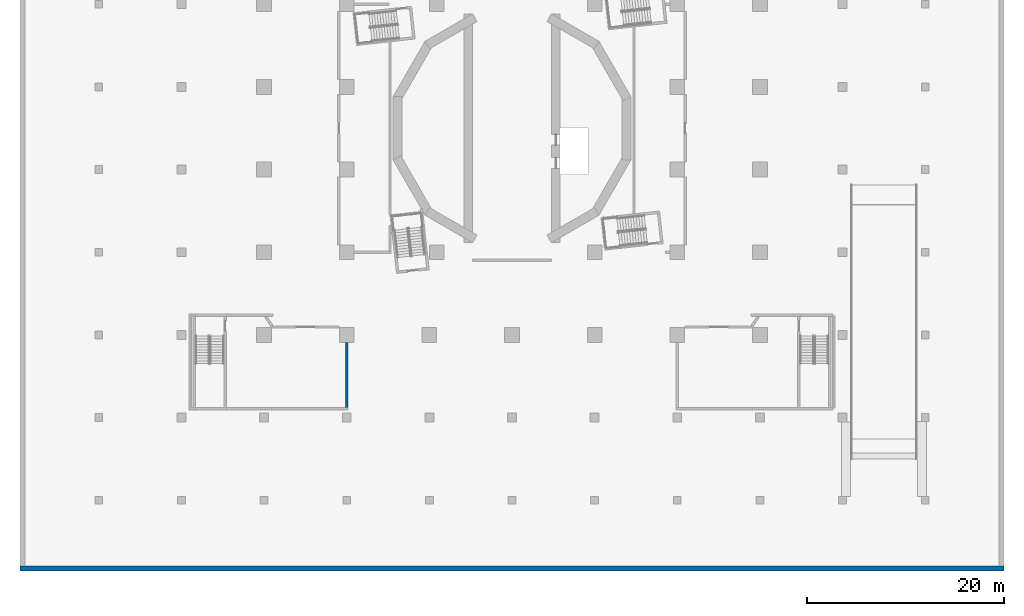
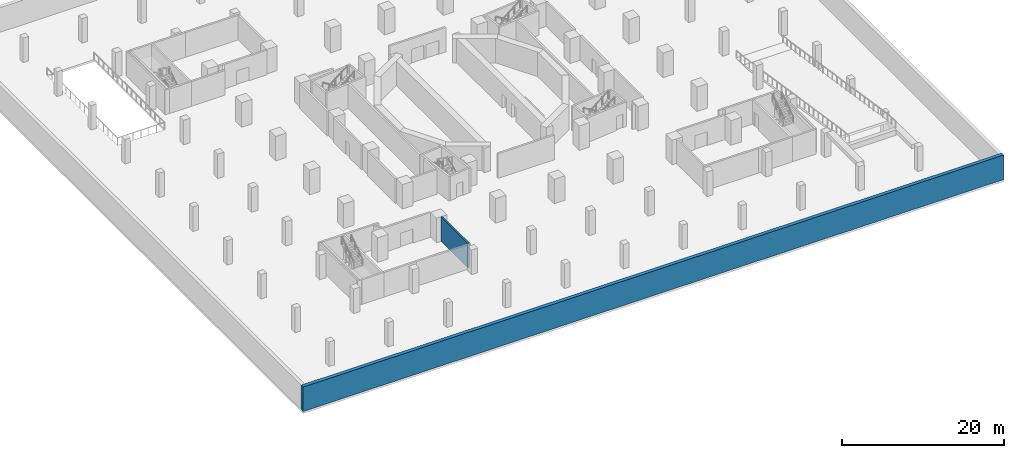
# One storey, part 3 of 18: 2 walls.
"""IFC4 building model written with IfcOpenShell, lengths in metres."""

from ifc_helpers import new_model, si_unit, direction, frame, frame_2d, origin, place, context, subcontext, project, spatial, rectangle, extrude, material, layer, layer_set, type_object, element, save


model = new_model("IFC4")

# Units and contexts
model_context = context("Model", 3, precision=1e-05, world=origin(), true_north=direction((0.0, 1.0)))
body_context = subcontext(model_context, "Body", "Model", "MODEL_VIEW")
ifc_project = project(units=[si_unit("LENGTHUNIT", "METRE"), si_unit("AREAUNIT", "SQUARE_METRE"), si_unit("VOLUMEUNIT", "CUBIC_METRE"), si_unit("PLANEANGLEUNIT", "RADIAN"), si_unit("MASSUNIT", "GRAM", prefix="KILO")], contexts=[model_context])

# Site, building, storey
site_placement = place(None, origin())
site = spatial("IfcSite", under=ifc_project, at=site_placement, CompositionType="ELEMENT")
building_placement = place(site_placement, origin())
building = spatial("IfcBuilding", under=site, at=building_placement, Name="Cantera Rosa Tower", CompositionType="ELEMENT")
storey_placement = place(building_placement, frame((0.0, 0.0, -9.0)))
storey = spatial("IfcBuildingStorey", under=building, at=storey_placement, Name="B2", CompositionType="ELEMENT", Elevation=-9.0)

# Walls
ifc_material_1 = material(Name="Masonry blockwork", Category="masonry")
ifc_layer_1 = layer(ifc_material_1, 0.25)
ifc_layer_set_1 = layer_set([ifc_layer_1], Name="Fire-rated external wall 250")
wall_type_1 = type_object("IfcWallType", Name="Fire-rated external wall 250", PredefinedType="PARTITIONING", material=ifc_layer_set_1)
wall_1_placement = place(storey_placement, frame((-16.800048828125, -28.375, 0.0), z_axis=(0.0, 0.0, 1.0), x_axis=(0.0, 1.0, 0.0)))
element("IfcWall", 1, at=wall_1_placement, inside=storey, type_object=wall_type_1, Name="Fire wall B2-46", PredefinedType="PARTITIONING", context=body_context, shape_type="SweptSolid", body=[
    extrude(rectangle(XDim=6.625, YDim=0.25, at=frame_2d((3.3125, 0.0))), origin(), (0.0, 0.0, 1.0), 3.699951171875),
])
ifc_material_2 = material(Name="Concrete C40/50", Category="concrete")
ifc_layer_2 = layer(ifc_material_2, 0.5)
ifc_layer_set_2 = layer_set([ifc_layer_2], Name="Retaining wall 500")
wall_type_2 = type_object("IfcWallType", Name="Retaining wall 500", PredefinedType="SOLIDWALL", material=ifc_layer_set_2)
wall_2_placement = place(storey_placement, frame((-50.0, -44.75, 0.0), z_axis=(0.0, 0.0, 1.0), x_axis=(1.0, 0.0, 0.0)))
element("IfcWall", 2, at=wall_2_placement, inside=storey, type_object=wall_type_2, Name="Retaining wall S B2", PredefinedType="SOLIDWALL", context=body_context, shape_type="SweptSolid", body=[
    extrude(rectangle(XDim=100.0, YDim=0.5, at=frame_2d((50.0, 0.0))), origin(), (0.0, 0.0, 1.0), 3.699951171875),
])

save(model, "model.ifc")
